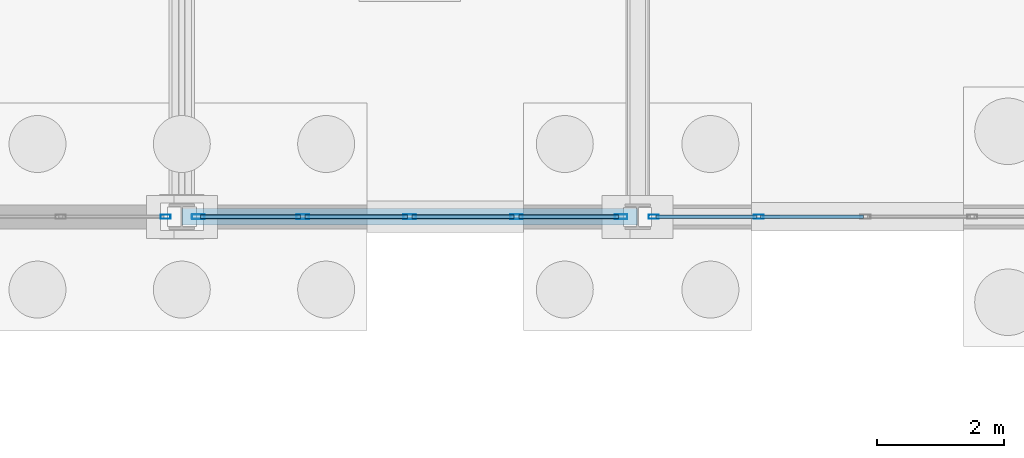
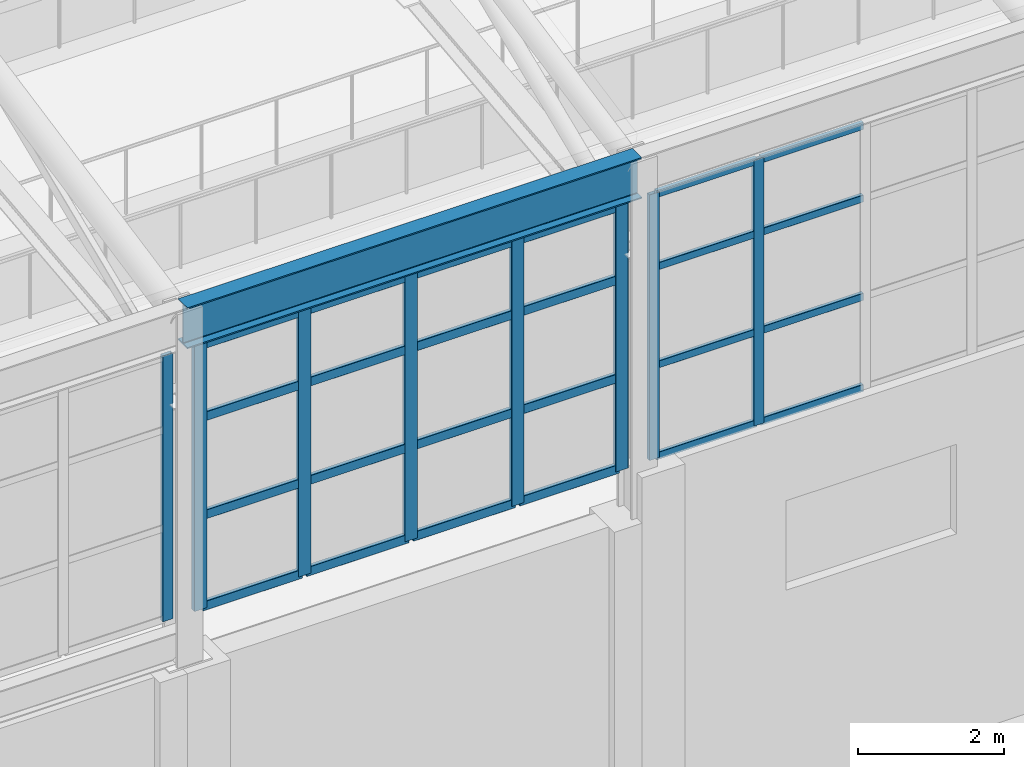
# One storey, part 128 of 293: 32 members, 1 beam, 3 elements without a shape of their own.
"""IFC4 building model written with IfcOpenShell, lengths in metres."""

from ifc_helpers import new_model, si_unit, direction, frame, origin, origin_2d, place, context, subcontext, project, spatial, hollow_rectangle, i_section, extrude, material, layer, layer_set, material_profile, profile_set, type_object, element, aggregate, save


model = new_model("IFC4")

# Units and contexts
model_context = context("Model", 3, precision=1e-05, world=origin(), true_north=direction((0.0, 1.0)))
body_context = subcontext(model_context, "Body", "Model", "MODEL_VIEW")
ifc_project = project(units=[si_unit("LENGTHUNIT", "METRE"), si_unit("AREAUNIT", "SQUARE_METRE"), si_unit("VOLUMEUNIT", "CUBIC_METRE"), si_unit("PLANEANGLEUNIT", "RADIAN"), si_unit("MASSUNIT", "GRAM", prefix="KILO")], contexts=[model_context])

# Site, building, storey
site_placement = place(None, origin())
site = spatial("IfcSite", under=ifc_project, at=site_placement, CompositionType="ELEMENT")
building_placement = place(site_placement, origin())
building = spatial("IfcBuilding", under=site, at=building_placement, Name="Kemerveld Promenade Tramway Depot", CompositionType="ELEMENT")
storey_placement = place(building_placement, origin())
storey = spatial("IfcBuildingStorey", under=building, at=storey_placement, Name="L00", CompositionType="ELEMENT", Elevation=0.0)

# Beam
ifc_material_1 = material(Name="Steel S355", Category="steel")
ifc_material_profile_1 = material_profile(ifc_material_1, i_section(OverallWidth=0.25439453125, OverallDepth=0.6875, WebThickness=0.01318359375, FlangeThickness=0.02099609375, FilletRadius=0.01513671875, at=origin_2d()), Name="686x254x152 UB")
ifc_profile_set_1 = profile_set([ifc_material_profile_1], Name="Steel S355")
beam_type = type_object("IfcBeamType", Name="BM-G03", PredefinedType="BEAM", material=ifc_profile_set_1)
beam_placement = place(storey_placement, frame((79.199951171875, 84.0, 11.056396484375), z_axis=(1.0, 0.0, 0.0), x_axis=(0.0, 1.0, 0.0)))
element("IfcBeam", 1, at=beam_placement, inside=storey, type_object=beam_type, Name="BM-SHED-EAVE-N-12", PredefinedType="BEAM", context=body_context, shape_type="SweptSolid", body=[
    extrude(i_section(OverallWidth=0.25439453125, OverallDepth=0.6875, WebThickness=0.01318359375, FlangeThickness=0.02099609375, FilletRadius=0.01513671875, at=origin_2d()), origin(), (0.0, 0.0, 1.0), 7.199951171875),
])

# Curtain wall, member
ifc_material_2 = material(Name="Bronze anodised aluminium and solar glass", Category="aluminium")
ifc_layer_1 = layer(ifc_material_2, 0.159912109375)
ifc_layer_set_1 = layer_set([ifc_layer_1], Name="CW-SYS-09")
curtain_wall_type_1 = type_object("IfcCurtainWallType", Name="CW-SYS-09", PredefinedType="USERDEFINED", material=ifc_layer_set_1)
curtain_wall_1_placement = place(storey_placement, origin())
curtain_wall_1 = element("IfcCurtainWall", 2, at=curtain_wall_1_placement, inside=storey, type_object=curtain_wall_type_1, Name="CW-V1-S-06", ObjectType="GLAZED_CURTAIN_WALL", PredefinedType="USERDEFINED")
ifc_material_3 = material(Name="Bronze anodised aluminium", Category="aluminium")
ifc_material_profile_2 = material_profile(ifc_material_3, hollow_rectangle(XDim=0.06494140625, YDim=0.159912109375, WallThickness=0.00390625, InnerFilletRadius=0.001953125, OuterFilletRadius=0.00390625, at=origin_2d()), Name="CW-MUL-160x65")
ifc_profile_set_2 = profile_set([ifc_material_profile_2], Name="Bronze anodised aluminium")
member_type_1 = type_object("IfcMemberType", Name="CW-MUL-A", PredefinedType="MULLION", material=ifc_profile_set_2)
member_1_placement = place(storey_placement, frame((78.9443359375, 84.0, 6.199951171875), z_axis=(0.0, 0.0, 1.0), x_axis=(0.0, -1.0, 0.0)))
member_1 = element("IfcMember", 3, at=member_1_placement, type_object=member_type_1, Name="CW09 mullion 1", PredefinedType="MULLION", context=body_context, shape_type="SweptSolid", body=[
    extrude(hollow_rectangle(XDim=0.06494140625, YDim=0.159912109375, WallThickness=0.00390625, InnerFilletRadius=0.001953125, OuterFilletRadius=0.00390625, at=origin_2d()), origin(), (0.0, 0.0, 1.0), 4.449951171875),
])
aggregate(curtain_wall_1, [member_1])

# Curtain wall, members
ifc_layer_2 = layer(ifc_material_2, 0.159912109375)
ifc_layer_set_2 = layer_set([ifc_layer_2], Name="CW-SYS-11")
curtain_wall_type_2 = type_object("IfcCurtainWallType", Name="CW-SYS-11", PredefinedType="USERDEFINED", material=ifc_layer_set_2)
curtain_wall_2_placement = place(storey_placement, origin())
curtain_wall_2 = element("IfcCurtainWall", 4, at=curtain_wall_2_placement, inside=storey, type_object=curtain_wall_type_2, Name="CW-V1-S-08", ObjectType="GLAZED_CURTAIN_WALL", PredefinedType="USERDEFINED")
member_2_placement = place(storey_placement, frame((88.3115234375, 84.0, 6.199951171875), z_axis=(0.0, 0.0, 1.0), x_axis=(0.0, -1.0, 0.0)))
member_2 = element("IfcMember", 5, at=member_2_placement, type_object=member_type_1, Name="CW11 mullion 4", PredefinedType="MULLION", context=body_context, shape_type="SweptSolid", body=[
    extrude(hollow_rectangle(XDim=0.06494140625, YDim=0.159912109375, WallThickness=0.00390625, InnerFilletRadius=0.001953125, OuterFilletRadius=0.00390625, at=origin_2d()), origin(), (0.0, 0.0, 1.0), 4.449951171875),
])
member_3_placement = place(storey_placement, frame((86.65576171875, 84.0, 6.199951171875), z_axis=(0.0, 0.0, 1.0), x_axis=(0.0, -1.0, 0.0)))
member_3 = element("IfcMember", 6, at=member_3_placement, type_object=member_type_1, Name="CW11 mullion 5", PredefinedType="MULLION", context=body_context, shape_type="SweptSolid", body=[
    extrude(hollow_rectangle(XDim=0.06494140625, YDim=0.159912109375, WallThickness=0.00390625, InnerFilletRadius=0.001953125, OuterFilletRadius=0.00390625, at=origin_2d()), origin(), (0.0, 0.0, 1.0), 4.449951171875),
])

ifc_layer_3 = layer(ifc_material_2, 0.199951171875)
ifc_layer_set_3 = layer_set([ifc_layer_3], Name="CW-SYS-10")
curtain_wall_type_3 = type_object("IfcCurtainWallType", Name="CW-SYS-10", PredefinedType="USERDEFINED", material=ifc_layer_set_3)
curtain_wall_3_placement = place(storey_placement, origin())
curtain_wall_3 = element("IfcCurtainWall", 7, at=curtain_wall_3_placement, inside=storey, type_object=curtain_wall_type_3, Name="CW-V1-S-07", ObjectType="GLAZED_CURTAIN_WALL", PredefinedType="USERDEFINED")
ifc_material_profile_3 = material_profile(ifc_material_3, hollow_rectangle(XDim=0.074951171875, YDim=0.199951171875, WallThickness=0.0048828125, InnerFilletRadius=0.001953125, OuterFilletRadius=0.0048828125, at=origin_2d()), Name="CW-MUL-200x75")
ifc_profile_set_3 = profile_set([ifc_material_profile_3], Name="Bronze anodised aluminium")
member_type_2 = type_object("IfcMemberType", Name="CW-MUL-B", PredefinedType="MULLION", material=ifc_profile_set_3)
member_4_placement = place(storey_placement, frame((86.139404296875, 84.0, 6.199951171875), z_axis=(0.0, 0.0, 1.0), x_axis=(0.0, -1.0, 0.0)))
member_4 = element("IfcMember", 8, at=member_4_placement, type_object=member_type_2, Name="CW10 mullion 1", PredefinedType="MULLION", context=body_context, shape_type="SweptSolid", body=[
    extrude(hollow_rectangle(XDim=0.074951171875, YDim=0.199951171875, WallThickness=0.0048828125, InnerFilletRadius=0.001953125, OuterFilletRadius=0.0048828125, at=origin_2d()), origin(), (0.0, 0.0, 1.0), 4.449951171875),
])
member_5_placement = place(storey_placement, frame((84.48828125, 84.0, 6.199951171875), z_axis=(0.0, 0.0, 1.0), x_axis=(0.0, -1.0, 0.0)))
member_5 = element("IfcMember", 9, at=member_5_placement, type_object=member_type_2, Name="CW10 mullion 2", PredefinedType="MULLION", context=body_context, shape_type="SweptSolid", body=[
    extrude(hollow_rectangle(XDim=0.074951171875, YDim=0.199951171875, WallThickness=0.0048828125, InnerFilletRadius=0.001953125, OuterFilletRadius=0.0048828125, at=origin_2d()), origin(), (0.0, 0.0, 1.0), 4.449951171875),
])
member_6_placement = place(storey_placement, frame((82.800048828125, 84.0, 6.199951171875), z_axis=(0.0, 0.0, 1.0), x_axis=(0.0, -1.0, 0.0)))
member_6 = element("IfcMember", 10, at=member_6_placement, type_object=member_type_2, Name="CW10 mullion 3", PredefinedType="MULLION", context=body_context, shape_type="SweptSolid", body=[
    extrude(hollow_rectangle(XDim=0.074951171875, YDim=0.199951171875, WallThickness=0.0048828125, InnerFilletRadius=0.001953125, OuterFilletRadius=0.0048828125, at=origin_2d()), origin(), (0.0, 0.0, 1.0), 4.449951171875),
])
member_7_placement = place(storey_placement, frame((81.111572265625, 84.0, 6.199951171875), z_axis=(0.0, 0.0, 1.0), x_axis=(0.0, -1.0, 0.0)))
member_7 = element("IfcMember", 11, at=member_7_placement, type_object=member_type_2, Name="CW10 mullion 4", PredefinedType="MULLION", context=body_context, shape_type="SweptSolid", body=[
    extrude(hollow_rectangle(XDim=0.074951171875, YDim=0.199951171875, WallThickness=0.0048828125, InnerFilletRadius=0.001953125, OuterFilletRadius=0.0048828125, at=origin_2d()), origin(), (0.0, 0.0, 1.0), 4.449951171875),
])
member_8_placement = place(storey_placement, frame((79.460693359375, 84.0, 6.199951171875), z_axis=(0.0, 0.0, 1.0), x_axis=(0.0, -1.0, 0.0)))
member_8 = element("IfcMember", 12, at=member_8_placement, type_object=member_type_2, Name="CW10 mullion 5", PredefinedType="MULLION", context=body_context, shape_type="SweptSolid", body=[
    extrude(hollow_rectangle(XDim=0.074951171875, YDim=0.199951171875, WallThickness=0.0048828125, InnerFilletRadius=0.001953125, OuterFilletRadius=0.0048828125, at=origin_2d()), origin(), (0.0, 0.0, 1.0), 4.449951171875),
])

# Member
ifc_material_profile_4 = material_profile(ifc_material_3, hollow_rectangle(XDim=0.06005859375, YDim=0.1201171875, WallThickness=0.00390625, InnerFilletRadius=0.001953125, OuterFilletRadius=0.00390625, at=origin_2d()), Name="CW-TRN-120x60")
ifc_profile_set_4 = profile_set([ifc_material_profile_4], Name="Bronze anodised aluminium")
member_type_3 = type_object("IfcMemberType", Name="CW-TRN-A", PredefinedType="USERDEFINED", material=ifc_profile_set_4)
member_9_placement = place(storey_placement, frame((89.967529296875, 84.0, 6.22998046875), z_axis=(-1.0, 0.0, 0.0), x_axis=(0.0, -1.0, 0.0)))
member_9 = element("IfcMember", 13, at=member_9_placement, type_object=member_type_3, Name="CW11 transom 3.1", ObjectType="TRANSOM", PredefinedType="USERDEFINED", context=body_context, shape_type="SweptSolid", body=[
    extrude(hollow_rectangle(XDim=0.06005859375, YDim=0.1201171875, WallThickness=0.00390625, InnerFilletRadius=0.001953125, OuterFilletRadius=0.00390625, at=origin_2d()), origin(), (0.0, 0.0, 1.0), 1.62353515625),
])

member_10_placement = place(storey_placement, frame((89.967529296875, 84.0, 7.758056640625), z_axis=(-1.0, 0.0, 0.0), x_axis=(0.0, -1.0, 0.0)))
member_10 = element("IfcMember", 14, at=member_10_placement, type_object=member_type_3, Name="CW11 transom 3.2", ObjectType="TRANSOM", PredefinedType="USERDEFINED", context=body_context, shape_type="SweptSolid", body=[
    extrude(hollow_rectangle(XDim=0.06005859375, YDim=0.1201171875, WallThickness=0.00390625, InnerFilletRadius=0.001953125, OuterFilletRadius=0.00390625, at=origin_2d()), origin(), (0.0, 0.0, 1.0), 1.62353515625),
])

member_11_placement = place(storey_placement, frame((89.967529296875, 84.0, 9.404052734375), z_axis=(-1.0, 0.0, 0.0), x_axis=(0.0, -1.0, 0.0)))
member_11 = element("IfcMember", 15, at=member_11_placement, type_object=member_type_3, Name="CW11 transom 3.3", ObjectType="TRANSOM", PredefinedType="USERDEFINED", context=body_context, shape_type="SweptSolid", body=[
    extrude(hollow_rectangle(XDim=0.06005859375, YDim=0.1201171875, WallThickness=0.00390625, InnerFilletRadius=0.001953125, OuterFilletRadius=0.00390625, at=origin_2d()), origin(), (0.0, 0.0, 1.0), 1.62353515625),
])

member_12_placement = place(storey_placement, frame((89.967529296875, 84.0, 10.6201171875), z_axis=(-1.0, 0.0, 0.0), x_axis=(0.0, -1.0, 0.0)))
member_12 = element("IfcMember", 16, at=member_12_placement, type_object=member_type_3, Name="CW11 transom 3.4", ObjectType="TRANSOM", PredefinedType="USERDEFINED", context=body_context, shape_type="SweptSolid", body=[
    extrude(hollow_rectangle(XDim=0.06005859375, YDim=0.1201171875, WallThickness=0.00390625, InnerFilletRadius=0.001953125, OuterFilletRadius=0.00390625, at=origin_2d()), origin(), (0.0, 0.0, 1.0), 1.62353515625),
])

member_13_placement = place(storey_placement, frame((88.279052734375, 84.0, 6.22998046875), z_axis=(-1.0, 0.0, 0.0), x_axis=(0.0, -1.0, 0.0)))
member_13 = element("IfcMember", 17, at=member_13_placement, type_object=member_type_3, Name="CW11 transom 4.1", ObjectType="TRANSOM", PredefinedType="USERDEFINED", context=body_context, shape_type="SweptSolid", body=[
    extrude(hollow_rectangle(XDim=0.06005859375, YDim=0.1201171875, WallThickness=0.00390625, InnerFilletRadius=0.001953125, OuterFilletRadius=0.00390625, at=origin_2d()), origin(), (0.0, 0.0, 1.0), 1.5908203125),
])

member_14_placement = place(storey_placement, frame((88.279052734375, 84.0, 7.758056640625), z_axis=(-1.0, 0.0, 0.0), x_axis=(0.0, -1.0, 0.0)))
member_14 = element("IfcMember", 18, at=member_14_placement, type_object=member_type_3, Name="CW11 transom 4.2", ObjectType="TRANSOM", PredefinedType="USERDEFINED", context=body_context, shape_type="SweptSolid", body=[
    extrude(hollow_rectangle(XDim=0.06005859375, YDim=0.1201171875, WallThickness=0.00390625, InnerFilletRadius=0.001953125, OuterFilletRadius=0.00390625, at=origin_2d()), origin(), (0.0, 0.0, 1.0), 1.5908203125),
])

member_15_placement = place(storey_placement, frame((88.279052734375, 84.0, 9.404052734375), z_axis=(-1.0, 0.0, 0.0), x_axis=(0.0, -1.0, 0.0)))
member_15 = element("IfcMember", 19, at=member_15_placement, type_object=member_type_3, Name="CW11 transom 4.3", ObjectType="TRANSOM", PredefinedType="USERDEFINED", context=body_context, shape_type="SweptSolid", body=[
    extrude(hollow_rectangle(XDim=0.06005859375, YDim=0.1201171875, WallThickness=0.00390625, InnerFilletRadius=0.001953125, OuterFilletRadius=0.00390625, at=origin_2d()), origin(), (0.0, 0.0, 1.0), 1.5908203125),
])

member_16_placement = place(storey_placement, frame((88.279052734375, 84.0, 10.6201171875), z_axis=(-1.0, 0.0, 0.0), x_axis=(0.0, -1.0, 0.0)))
member_16 = element("IfcMember", 20, at=member_16_placement, type_object=member_type_3, Name="CW11 transom 4.4", ObjectType="TRANSOM", PredefinedType="USERDEFINED", context=body_context, shape_type="SweptSolid", body=[
    extrude(hollow_rectangle(XDim=0.06005859375, YDim=0.1201171875, WallThickness=0.00390625, InnerFilletRadius=0.001953125, OuterFilletRadius=0.00390625, at=origin_2d()), origin(), (0.0, 0.0, 1.0), 1.5908203125),
])

aggregate(curtain_wall_2, [member_2, member_3, member_9, member_10, member_11, member_12, member_13, member_14, member_15, member_16])

ifc_material_profile_5 = material_profile(ifc_material_3, hollow_rectangle(XDim=0.06494140625, YDim=0.14990234375, WallThickness=0.00439453125, InnerFilletRadius=0.001953125, OuterFilletRadius=0.00439453125, at=origin_2d()), Name="CW-TRN-150x65")
ifc_profile_set_5 = profile_set([ifc_material_profile_5], Name="Bronze anodised aluminium")
member_type_4 = type_object("IfcMemberType", Name="CW-TRN-B", PredefinedType="USERDEFINED", material=ifc_profile_set_5)
member_17_placement = place(storey_placement, frame((86.101806640625, 84.0, 6.232421875), z_axis=(-1.0, 0.0, 0.0), x_axis=(0.0, -1.0, 0.0)))
member_17 = element("IfcMember", 21, at=member_17_placement, type_object=member_type_4, Name="CW10 transom 1.1", ObjectType="TRANSOM", PredefinedType="USERDEFINED", context=body_context, shape_type="SweptSolid", body=[
    extrude(hollow_rectangle(XDim=0.06494140625, YDim=0.14990234375, WallThickness=0.00439453125, InnerFilletRadius=0.001953125, OuterFilletRadius=0.00439453125, at=origin_2d()), origin(), (0.0, 0.0, 1.0), 1.575927734375),
])

member_18_placement = place(storey_placement, frame((86.101806640625, 84.0, 7.758056640625), z_axis=(-1.0, 0.0, 0.0), x_axis=(0.0, -1.0, 0.0)))
member_18 = element("IfcMember", 22, at=member_18_placement, type_object=member_type_4, Name="CW10 transom 1.2", ObjectType="TRANSOM", PredefinedType="USERDEFINED", context=body_context, shape_type="SweptSolid", body=[
    extrude(hollow_rectangle(XDim=0.06494140625, YDim=0.14990234375, WallThickness=0.00439453125, InnerFilletRadius=0.001953125, OuterFilletRadius=0.00439453125, at=origin_2d()), origin(), (0.0, 0.0, 1.0), 1.575927734375),
])

member_19_placement = place(storey_placement, frame((86.101806640625, 84.0, 9.404052734375), z_axis=(-1.0, 0.0, 0.0), x_axis=(0.0, -1.0, 0.0)))
member_19 = element("IfcMember", 23, at=member_19_placement, type_object=member_type_4, Name="CW10 transom 1.3", ObjectType="TRANSOM", PredefinedType="USERDEFINED", context=body_context, shape_type="SweptSolid", body=[
    extrude(hollow_rectangle(XDim=0.06494140625, YDim=0.14990234375, WallThickness=0.00439453125, InnerFilletRadius=0.001953125, OuterFilletRadius=0.00439453125, at=origin_2d()), origin(), (0.0, 0.0, 1.0), 1.575927734375),
])

member_20_placement = place(storey_placement, frame((86.101806640625, 84.0, 10.617431640625), z_axis=(-1.0, 0.0, 0.0), x_axis=(0.0, -1.0, 0.0)))
member_20 = element("IfcMember", 24, at=member_20_placement, type_object=member_type_4, Name="CW10 transom 1.4", ObjectType="TRANSOM", PredefinedType="USERDEFINED", context=body_context, shape_type="SweptSolid", body=[
    extrude(hollow_rectangle(XDim=0.06494140625, YDim=0.14990234375, WallThickness=0.00439453125, InnerFilletRadius=0.001953125, OuterFilletRadius=0.00439453125, at=origin_2d()), origin(), (0.0, 0.0, 1.0), 1.575927734375),
])

member_21_placement = place(storey_placement, frame((84.450927734375, 84.0, 6.232421875), z_axis=(-1.0, 0.0, 0.0), x_axis=(0.0, -1.0, 0.0)))
member_21 = element("IfcMember", 25, at=member_21_placement, type_object=member_type_4, Name="CW10 transom 2.1", ObjectType="TRANSOM", PredefinedType="USERDEFINED", context=body_context, shape_type="SweptSolid", body=[
    extrude(hollow_rectangle(XDim=0.06494140625, YDim=0.14990234375, WallThickness=0.00439453125, InnerFilletRadius=0.001953125, OuterFilletRadius=0.00439453125, at=origin_2d()), origin(), (0.0, 0.0, 1.0), 1.613525390625),
])

member_22_placement = place(storey_placement, frame((84.450927734375, 84.0, 7.758056640625), z_axis=(-1.0, 0.0, 0.0), x_axis=(0.0, -1.0, 0.0)))
member_22 = element("IfcMember", 26, at=member_22_placement, type_object=member_type_4, Name="CW10 transom 2.2", ObjectType="TRANSOM", PredefinedType="USERDEFINED", context=body_context, shape_type="SweptSolid", body=[
    extrude(hollow_rectangle(XDim=0.06494140625, YDim=0.14990234375, WallThickness=0.00439453125, InnerFilletRadius=0.001953125, OuterFilletRadius=0.00439453125, at=origin_2d()), origin(), (0.0, 0.0, 1.0), 1.613525390625),
])

member_23_placement = place(storey_placement, frame((84.450927734375, 84.0, 9.404052734375), z_axis=(-1.0, 0.0, 0.0), x_axis=(0.0, -1.0, 0.0)))
member_23 = element("IfcMember", 27, at=member_23_placement, type_object=member_type_4, Name="CW10 transom 2.3", ObjectType="TRANSOM", PredefinedType="USERDEFINED", context=body_context, shape_type="SweptSolid", body=[
    extrude(hollow_rectangle(XDim=0.06494140625, YDim=0.14990234375, WallThickness=0.00439453125, InnerFilletRadius=0.001953125, OuterFilletRadius=0.00439453125, at=origin_2d()), origin(), (0.0, 0.0, 1.0), 1.613525390625),
])

member_24_placement = place(storey_placement, frame((84.450927734375, 84.0, 10.617431640625), z_axis=(-1.0, 0.0, 0.0), x_axis=(0.0, -1.0, 0.0)))
member_24 = element("IfcMember", 28, at=member_24_placement, type_object=member_type_4, Name="CW10 transom 2.4", ObjectType="TRANSOM", PredefinedType="USERDEFINED", context=body_context, shape_type="SweptSolid", body=[
    extrude(hollow_rectangle(XDim=0.06494140625, YDim=0.14990234375, WallThickness=0.00439453125, InnerFilletRadius=0.001953125, OuterFilletRadius=0.00439453125, at=origin_2d()), origin(), (0.0, 0.0, 1.0), 1.613525390625),
])

member_25_placement = place(storey_placement, frame((82.762451171875, 84.0, 6.232421875), z_axis=(-1.0, 0.0, 0.0), x_axis=(0.0, -1.0, 0.0)))
member_25 = element("IfcMember", 29, at=member_25_placement, type_object=member_type_4, Name="CW10 transom 3.1", ObjectType="TRANSOM", PredefinedType="USERDEFINED", context=body_context, shape_type="SweptSolid", body=[
    extrude(hollow_rectangle(XDim=0.06494140625, YDim=0.14990234375, WallThickness=0.00439453125, InnerFilletRadius=0.001953125, OuterFilletRadius=0.00439453125, at=origin_2d()), origin(), (0.0, 0.0, 1.0), 1.61328125),
])

member_26_placement = place(storey_placement, frame((82.762451171875, 84.0, 7.758056640625), z_axis=(-1.0, 0.0, 0.0), x_axis=(0.0, -1.0, 0.0)))
member_26 = element("IfcMember", 30, at=member_26_placement, type_object=member_type_4, Name="CW10 transom 3.2", ObjectType="TRANSOM", PredefinedType="USERDEFINED", context=body_context, shape_type="SweptSolid", body=[
    extrude(hollow_rectangle(XDim=0.06494140625, YDim=0.14990234375, WallThickness=0.00439453125, InnerFilletRadius=0.001953125, OuterFilletRadius=0.00439453125, at=origin_2d()), origin(), (0.0, 0.0, 1.0), 1.61328125),
])

member_27_placement = place(storey_placement, frame((82.762451171875, 84.0, 9.404052734375), z_axis=(-1.0, 0.0, 0.0), x_axis=(0.0, -1.0, 0.0)))
member_27 = element("IfcMember", 31, at=member_27_placement, type_object=member_type_4, Name="CW10 transom 3.3", ObjectType="TRANSOM", PredefinedType="USERDEFINED", context=body_context, shape_type="SweptSolid", body=[
    extrude(hollow_rectangle(XDim=0.06494140625, YDim=0.14990234375, WallThickness=0.00439453125, InnerFilletRadius=0.001953125, OuterFilletRadius=0.00439453125, at=origin_2d()), origin(), (0.0, 0.0, 1.0), 1.61328125),
])

member_28_placement = place(storey_placement, frame((82.762451171875, 84.0, 10.617431640625), z_axis=(-1.0, 0.0, 0.0), x_axis=(0.0, -1.0, 0.0)))
member_28 = element("IfcMember", 32, at=member_28_placement, type_object=member_type_4, Name="CW10 transom 3.4", ObjectType="TRANSOM", PredefinedType="USERDEFINED", context=body_context, shape_type="SweptSolid", body=[
    extrude(hollow_rectangle(XDim=0.06494140625, YDim=0.14990234375, WallThickness=0.00439453125, InnerFilletRadius=0.001953125, OuterFilletRadius=0.00439453125, at=origin_2d()), origin(), (0.0, 0.0, 1.0), 1.61328125),
])

member_29_placement = place(storey_placement, frame((81.07421875, 84.0, 6.232421875), z_axis=(-1.0, 0.0, 0.0), x_axis=(0.0, -1.0, 0.0)))
member_29 = element("IfcMember", 33, at=member_29_placement, type_object=member_type_4, Name="CW10 transom 4.1", ObjectType="TRANSOM", PredefinedType="USERDEFINED", context=body_context, shape_type="SweptSolid", body=[
    extrude(hollow_rectangle(XDim=0.06494140625, YDim=0.14990234375, WallThickness=0.00439453125, InnerFilletRadius=0.001953125, OuterFilletRadius=0.00439453125, at=origin_2d()), origin(), (0.0, 0.0, 1.0), 1.575927734375),
])

member_30_placement = place(storey_placement, frame((81.07421875, 84.0, 7.758056640625), z_axis=(-1.0, 0.0, 0.0), x_axis=(0.0, -1.0, 0.0)))
member_30 = element("IfcMember", 34, at=member_30_placement, type_object=member_type_4, Name="CW10 transom 4.2", ObjectType="TRANSOM", PredefinedType="USERDEFINED", context=body_context, shape_type="SweptSolid", body=[
    extrude(hollow_rectangle(XDim=0.06494140625, YDim=0.14990234375, WallThickness=0.00439453125, InnerFilletRadius=0.001953125, OuterFilletRadius=0.00439453125, at=origin_2d()), origin(), (0.0, 0.0, 1.0), 1.575927734375),
])

member_31_placement = place(storey_placement, frame((81.07421875, 84.0, 9.404052734375), z_axis=(-1.0, 0.0, 0.0), x_axis=(0.0, -1.0, 0.0)))
member_31 = element("IfcMember", 35, at=member_31_placement, type_object=member_type_4, Name="CW10 transom 4.3", ObjectType="TRANSOM", PredefinedType="USERDEFINED", context=body_context, shape_type="SweptSolid", body=[
    extrude(hollow_rectangle(XDim=0.06494140625, YDim=0.14990234375, WallThickness=0.00439453125, InnerFilletRadius=0.001953125, OuterFilletRadius=0.00439453125, at=origin_2d()), origin(), (0.0, 0.0, 1.0), 1.575927734375),
])

member_32_placement = place(storey_placement, frame((81.07421875, 84.0, 10.617431640625), z_axis=(-1.0, 0.0, 0.0), x_axis=(0.0, -1.0, 0.0)))
member_32 = element("IfcMember", 36, at=member_32_placement, type_object=member_type_4, Name="CW10 transom 4.4", ObjectType="TRANSOM", PredefinedType="USERDEFINED", context=body_context, shape_type="SweptSolid", body=[
    extrude(hollow_rectangle(XDim=0.06494140625, YDim=0.14990234375, WallThickness=0.00439453125, InnerFilletRadius=0.001953125, OuterFilletRadius=0.00439453125, at=origin_2d()), origin(), (0.0, 0.0, 1.0), 1.575927734375),
])

aggregate(curtain_wall_3, [member_4, member_5, member_6, member_7, member_8, member_17, member_18, member_19, member_20, member_21, member_22, member_23, member_24, member_25, member_26, member_27, member_28, member_29, member_30, member_31, member_32])

save(model, "model.ifc")
